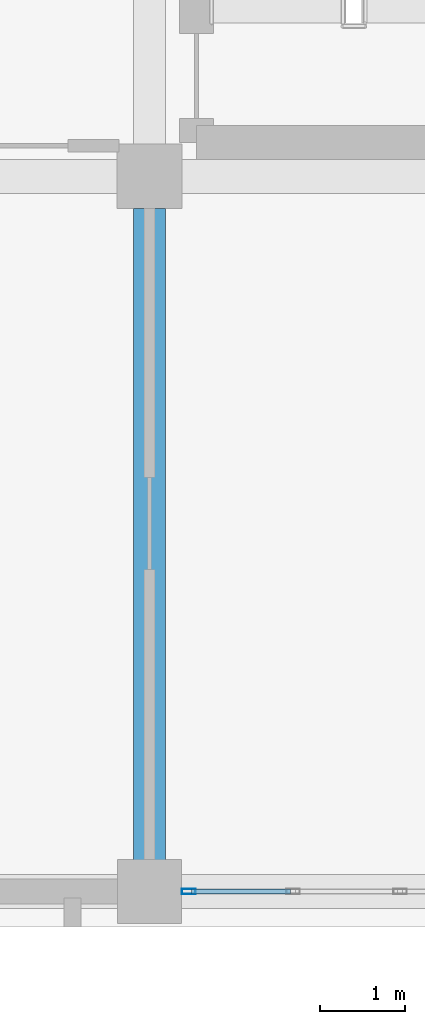
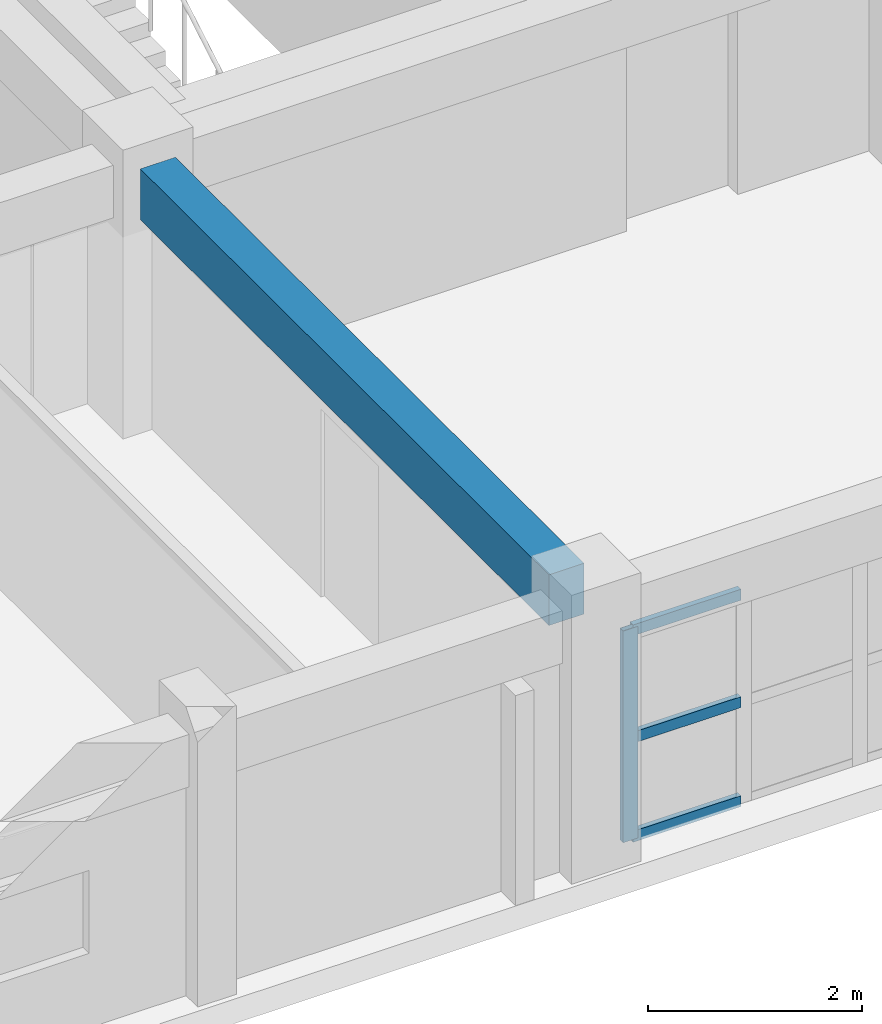
# One storey, part 45 of 200: 4 members, 1 beam, 1 element without a shape of its own.
"""IFC4 building model written with IfcOpenShell, lengths in metres."""

from ifc_helpers import new_model, si_unit, direction, frame, origin, origin_2d, place, context, subcontext, project, spatial, rectangle, hollow_rectangle, extrude, material, layer, layer_set, material_profile, profile_set, type_object, element, aggregate, save


model = new_model("IFC4")

# Units and contexts
model_context = context("Model", 3, precision=1e-05, world=origin(), true_north=direction((0.0, 1.0)))
body_context = subcontext(model_context, "Body", "Model", "MODEL_VIEW")
ifc_project = project(units=[si_unit("LENGTHUNIT", "METRE"), si_unit("AREAUNIT", "SQUARE_METRE"), si_unit("VOLUMEUNIT", "CUBIC_METRE"), si_unit("PLANEANGLEUNIT", "RADIAN"), si_unit("MASSUNIT", "GRAM", prefix="KILO")], contexts=[model_context])

# Site, building, storey
site_placement = place(None, origin())
site = spatial("IfcSite", under=ifc_project, at=site_placement, CompositionType="ELEMENT")
building_placement = place(site_placement, origin())
building = spatial("IfcBuilding", under=site, at=building_placement, Name="Trelvath General Hospital", CompositionType="ELEMENT")
storey_placement = place(building_placement, frame((0.0, 0.0, 4.800048828125)))
storey = spatial("IfcBuildingStorey", under=building, at=storey_placement, Name="L01", CompositionType="ELEMENT", Elevation=4.800048828125)

# Beam
ifc_material_1 = material(Name="Concrete C35/45", Category="concrete")
ifc_material_profile_1 = material_profile(ifc_material_1, rectangle(XDim=0.3798828125, YDim=0.580078125, at=origin_2d()), Name="RCB380x580")
ifc_profile_set_1 = profile_set([ifc_material_profile_1], Name="Concrete C35/45")
beam_type = type_object("IfcBeamType", Name="Beam RC380x580", PredefinedType="BEAM", material=ifc_profile_set_1)
beam_placement = place(storey_placement, frame((92.39990234375, 0.3701171875, 2.72998046875), z_axis=(0.0, 1.0, 0.0), x_axis=(-1.0, 0.0, 0.0)))
element("IfcBeam", 1, at=beam_placement, inside=storey, type_object=beam_type, Name="Grid Beam BY-111A", PredefinedType="BEAM", context=body_context, shape_type="SweptSolid", body=[
    extrude(rectangle(XDim=0.3798828125, YDim=0.580078125, at=origin_2d()), origin(), (0.0, 0.0, 1.0), 7.65478515625),
])

# Curtain wall, members
ifc_material_2 = material(Name="Anodised aluminium and low-E glass", Category="aluminium")
ifc_layer = layer(ifc_material_2, 0.159912109375)
ifc_layer_set = layer_set([ifc_layer], Name="Anodised aluminium and low-E glass")
curtain_wall_type = type_object("IfcCurtainWallType", Name="CW Facade 754 242 16", PredefinedType="USERDEFINED", material=ifc_layer_set)
curtain_wall_placement = place(storey_placement, origin())
curtain_wall = element("IfcCurtainWall", 2, at=curtain_wall_placement, inside=storey, type_object=curtain_wall_type, Name="Facade Curtain Wall CW-018", ObjectType="Unitised Glazed Curtain Wall", PredefinedType="USERDEFINED")
ifc_material_3 = material(Name="Anodised aluminium", Category="aluminium")
ifc_material_profile_2 = material_profile(ifc_material_3, hollow_rectangle(XDim=0.06005859375, YDim=0.159912109375, WallThickness=0.00390625, at=origin_2d()), Name="RHS60x160x4")
ifc_profile_set_2 = profile_set([ifc_material_profile_2], Name="Anodised aluminium")
member_type_1 = type_object("IfcMemberType", Name="CurtainMullion 60x160", PredefinedType="MULLION", material=ifc_profile_set_2)
member_1_placement = place(storey_placement, frame((92.860107421875, 0.0, 0.0), z_axis=(0.0, 0.0, 1.0), x_axis=(0.0, -1.0, 0.0)))
member_1 = element("IfcMember", 3, at=member_1_placement, type_object=member_type_1, Name="CW-018 mullion 7", PredefinedType="MULLION", context=body_context, shape_type="SweptSolid", body=[
    extrude(hollow_rectangle(XDim=0.06005859375, YDim=0.159912109375, WallThickness=0.00390625, at=origin_2d()), origin(), (0.0, 0.0, 1.0), 2.419921875),
])
ifc_material_4 = material(Name="Anodised aluminium", Category="aluminium")
ifc_material_profile_3 = material_profile(ifc_material_4, hollow_rectangle(XDim=0.06005859375, YDim=0.125, WallThickness=0.00390625, at=origin_2d()), Name="RHS60x125x4")
ifc_profile_set_3 = profile_set([ifc_material_profile_3], Name="Anodised aluminium")
member_type_2 = type_object("IfcMemberType", Name="CurtainTransom 60x125", PredefinedType="USERDEFINED", material=ifc_profile_set_3)
member_2_placement = place(storey_placement, frame((94.056640625, 0.0, 0.030029296875), z_axis=(-1.0, 0.0, 0.0), x_axis=(0.0, -1.0, 0.0)))
member_2 = element("IfcMember", 4, at=member_2_placement, type_object=member_type_2, Name="CW-018 transom 6.1", ObjectType="TRANSOM", PredefinedType="USERDEFINED", context=body_context, shape_type="SweptSolid", body=[
    extrude(hollow_rectangle(XDim=0.06005859375, YDim=0.125, WallThickness=0.00390625, at=origin_2d()), origin(), (0.0, 0.0, 1.0), 1.166748046875),
])
member_3_placement = place(storey_placement, frame((94.056640625, 0.0, 1.161865234375), z_axis=(-1.0, 0.0, 0.0), x_axis=(0.0, -1.0, 0.0)))
member_3 = element("IfcMember", 5, at=member_3_placement, type_object=member_type_2, Name="CW-018 transom 6.2", ObjectType="TRANSOM", PredefinedType="USERDEFINED", context=body_context, shape_type="SweptSolid", body=[
    extrude(hollow_rectangle(XDim=0.06005859375, YDim=0.125, WallThickness=0.00390625, at=origin_2d()), origin(), (0.0, 0.0, 1.0), 1.166748046875),
])
member_4_placement = place(storey_placement, frame((94.056640625, 0.0, 2.389892578125), z_axis=(-1.0, 0.0, 0.0), x_axis=(0.0, -1.0, 0.0)))
member_4 = element("IfcMember", 6, at=member_4_placement, type_object=member_type_2, Name="CW-018 transom 6.3", ObjectType="TRANSOM", PredefinedType="USERDEFINED", context=body_context, shape_type="SweptSolid", body=[
    extrude(hollow_rectangle(XDim=0.06005859375, YDim=0.125, WallThickness=0.00390625, at=origin_2d()), origin(), (0.0, 0.0, 1.0), 1.166748046875),
])
aggregate(curtain_wall, [member_1, member_2, member_3, member_4])

save(model, "model.ifc")
